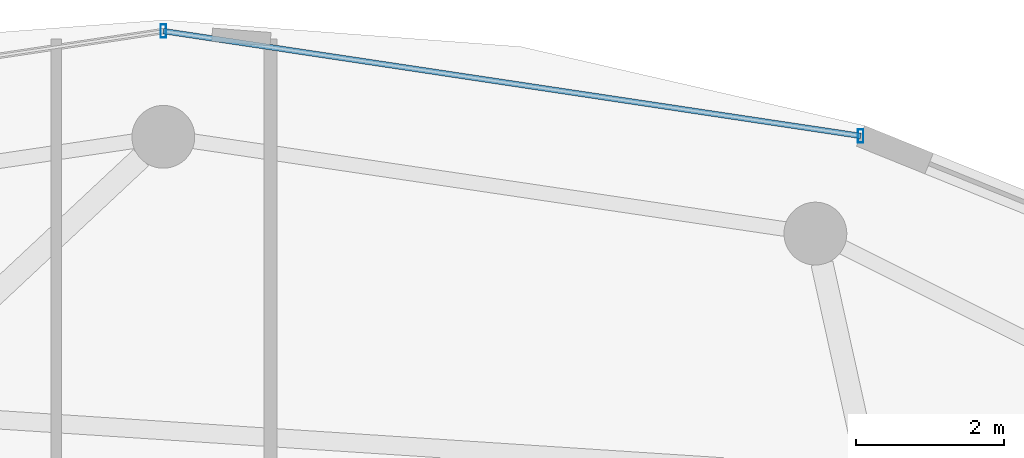
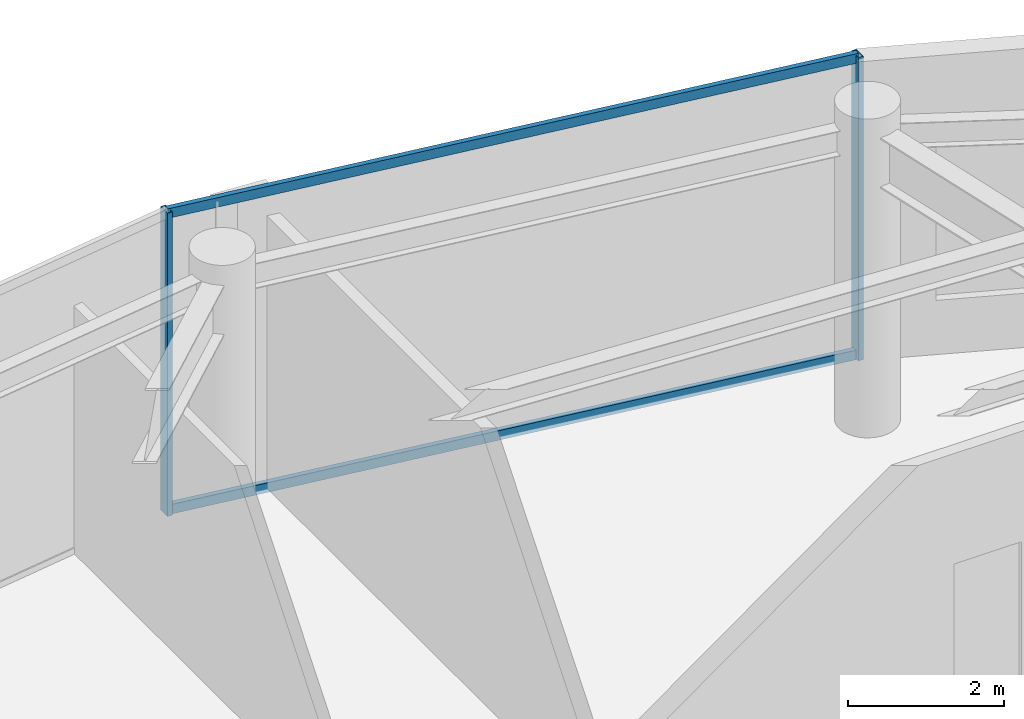
# One storey, part 18 of 24: 4 members, 1 element without a shape of its own.
"""IFC4 building model written with IfcOpenShell, lengths in metres."""

from ifc_helpers import new_model, si_unit, direction, frame, origin, origin_2d, place, context, subcontext, project, spatial, hollow_rectangle, extrude, material, material_profile, profile_set, type_object, element, aggregate, save


model = new_model("IFC4")

# Units and contexts
model_context = context("Model", 3, precision=1e-05, world=origin(), true_north=direction((0.0, 1.0)))
body_context = subcontext(model_context, "Body", "Model", "MODEL_VIEW")
ifc_project = project(units=[si_unit("LENGTHUNIT", "METRE"), si_unit("AREAUNIT", "SQUARE_METRE"), si_unit("VOLUMEUNIT", "CUBIC_METRE"), si_unit("PLANEANGLEUNIT", "RADIAN"), si_unit("MASSUNIT", "GRAM", prefix="KILO")], contexts=[model_context])

# Site, building, storey
site_placement = place(None, origin())
site = spatial("IfcSite", under=ifc_project, at=site_placement, CompositionType="ELEMENT")
building_placement = place(site_placement, origin())
building = spatial("IfcBuilding", under=site, at=building_placement, Name="Vorneva Point Tower", CompositionType="ELEMENT")
storey_placement = place(building_placement, frame((0.0, 0.0, 285.39990234375)))
storey = spatial("IfcBuildingStorey", under=building, at=storey_placement, Name="L77", CompositionType="ELEMENT", Elevation=285.39990234375)

# Curtain wall, members
ifc_material = material(Name="Pale anodised aluminium", Category="aluminium")
curtain_wall_type = type_object("IfcCurtainWallType", Name="CW-OBS-SYS", PredefinedType="NOTDEFINED", material=ifc_material)
curtain_wall_placement = place(storey_placement, origin())
curtain_wall = element("IfcCurtainWall", 1, at=curtain_wall_placement, inside=storey, type_object=curtain_wall_type, Name="L77 Unitised Curtain Wall CW-L77-R02", PredefinedType="NOTDEFINED")
ifc_material_profile_1 = material_profile(ifc_material, hollow_rectangle(XDim=0.074951171875, YDim=0.179931640625, WallThickness=0.00390625, at=origin_2d()), Name="AL-MUL 180x75x4")
ifc_profile_set_1 = profile_set([ifc_material_profile_1], Name="Pale anodised aluminium")
member_type_1 = type_object("IfcMemberType", Name="CW-MUL-180", PredefinedType="MULLION", material=ifc_profile_set_1)
member_1_placement = place(storey_placement, frame((47.43310546875, 43.2119140625, -0.039794921875), z_axis=(0.0, 0.0, 1.0), x_axis=(1.0, 0.0, 0.0)))
member_1 = element("IfcMember", 2, at=member_1_placement, type_object=member_type_1, Name="CW-L77-R02 Mullion 01", PredefinedType="MULLION", context=body_context, shape_type="SweptSolid", body=[
    extrude(hollow_rectangle(XDim=0.074951171875, YDim=0.179931640625, WallThickness=0.00390625, at=origin_2d()), origin(), (0.0, 0.0, 1.0), 4.760009765625),
])
member_2_placement = place(storey_placement, frame((38.0, 44.6298828125, -0.039794921875), z_axis=(0.0, 0.0, 1.0), x_axis=(1.0, 0.0, 0.0)))
member_2 = element("IfcMember", 3, at=member_2_placement, type_object=member_type_1, Name="CW-L77-R02 Mullion 02", PredefinedType="MULLION", context=body_context, shape_type="SweptSolid", body=[
    extrude(hollow_rectangle(XDim=0.074951171875, YDim=0.179931640625, WallThickness=0.00390625, at=origin_2d()), origin(), (0.0, 0.0, 1.0), 4.760009765625),
])
ifc_material_profile_2 = material_profile(ifc_material, hollow_rectangle(XDim=0.074951171875, YDim=0.14990234375, WallThickness=0.00390625, at=origin_2d()), Name="AL-TRN 150x75x4")
ifc_profile_set_2 = profile_set([ifc_material_profile_2], Name="Pale anodised aluminium")
member_type_2 = type_object("IfcMemberType", Name="CW-TRN-150", PredefinedType="USERDEFINED", material=ifc_profile_set_2)
member_3_placement = place(storey_placement, frame((47.43310546875, 43.2119140625, 0.02001953125), z_axis=(-0.988890123612, 0.148648321288, 0.0), x_axis=(-0.148648321288, -0.988890123612, 0.0)))
member_3 = element("IfcMember", 4, at=member_3_placement, type_object=member_type_2, Name="CW-L77-R02 Transom 01.1", ObjectType="TRANSOM", PredefinedType="USERDEFINED", context=body_context, shape_type="SweptSolid", body=[
    extrude(hollow_rectangle(XDim=0.074951171875, YDim=0.14990234375, WallThickness=0.00390625, at=origin_2d()), origin(), (0.0, 0.0, 1.0), 9.5390625),
])
member_4_placement = place(storey_placement, frame((47.43310546875, 43.2119140625, 4.670166015625), z_axis=(-0.988890123612, 0.148648321288, 0.0), x_axis=(-0.148648321288, -0.988890123612, 0.0)))
member_4 = element("IfcMember", 5, at=member_4_placement, type_object=member_type_2, Name="CW-L77-R02 Transom 01.2", ObjectType="TRANSOM", PredefinedType="USERDEFINED", context=body_context, shape_type="SweptSolid", body=[
    extrude(hollow_rectangle(XDim=0.074951171875, YDim=0.14990234375, WallThickness=0.00390625, at=origin_2d()), origin(), (0.0, 0.0, 1.0), 9.5390625),
])
aggregate(curtain_wall, [member_1, member_2, member_3, member_4])

save(model, "model.ifc")
